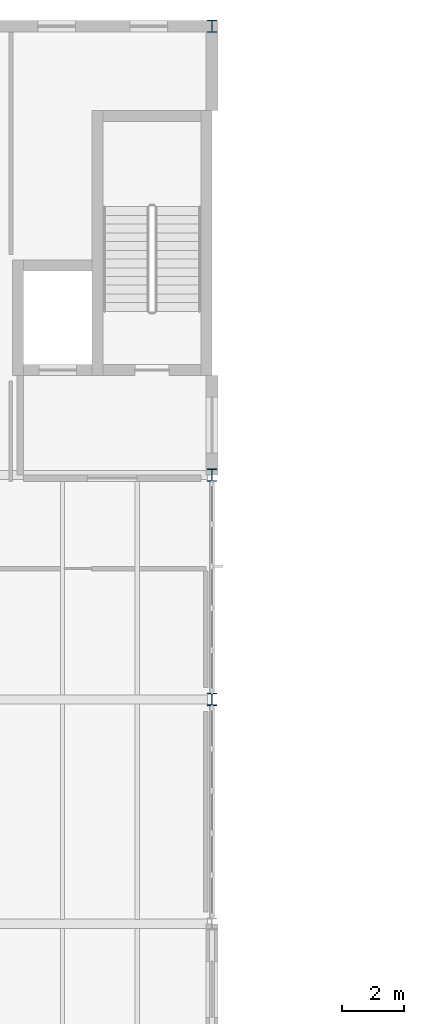
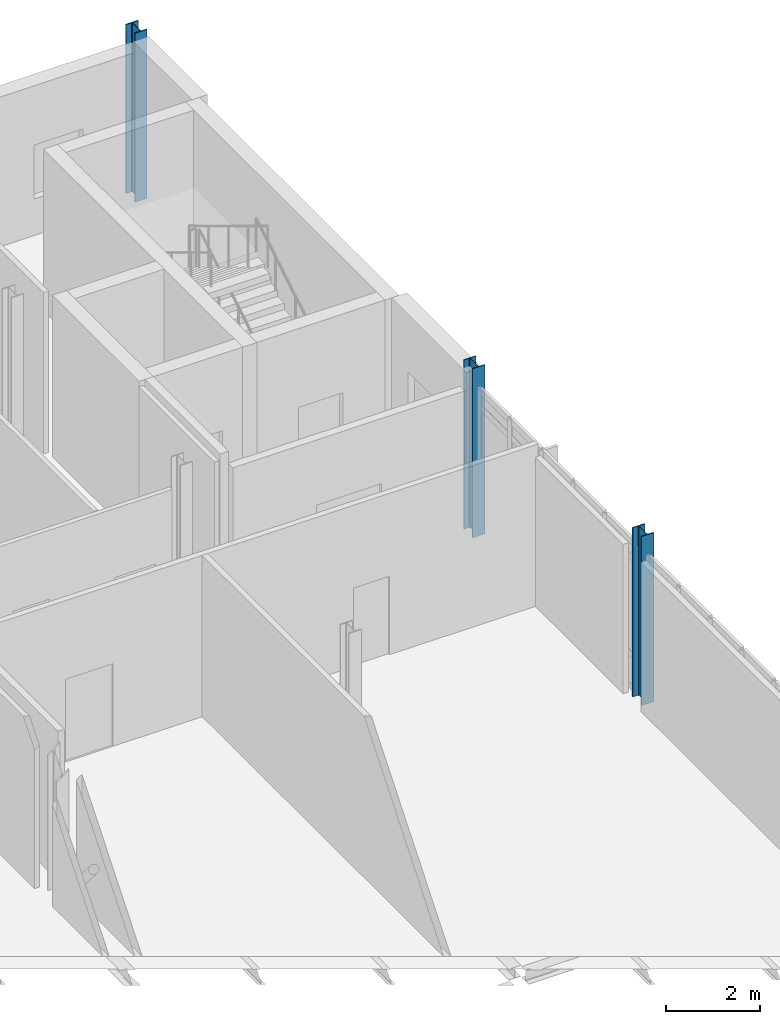
# One storey, part 12 of 72: 3 columns.
"""IFC4 building model written with IfcOpenShell, lengths in metres."""

from ifc_helpers import new_model, si_unit, direction, frame, origin, origin_2d, place, context, subcontext, project, spatial, i_section, extrude, material, material_profile, profile_set, type_object, element, save


model = new_model("IFC4")

# Units and contexts
model_context = context("Model", 3, precision=1e-05, world=origin(), true_north=direction((0.0, 1.0)))
body_context = subcontext(model_context, "Body", "Model", "MODEL_VIEW")
ifc_project = project(units=[si_unit("LENGTHUNIT", "METRE"), si_unit("AREAUNIT", "SQUARE_METRE"), si_unit("VOLUMEUNIT", "CUBIC_METRE"), si_unit("PLANEANGLEUNIT", "RADIAN"), si_unit("MASSUNIT", "GRAM", prefix="KILO")], contexts=[model_context])

# Site, building, storey
site_placement = place(None, origin())
site = spatial("IfcSite", under=ifc_project, at=site_placement, CompositionType="ELEMENT")
building_placement = place(site_placement, origin())
building = spatial("IfcBuilding", under=site, at=building_placement, Name="Zarrinpeak Specialist Clinic", CompositionType="ELEMENT")
storey_placement = place(building_placement, frame((0.0, 0.0, 9.60009765625)))
storey = spatial("IfcBuildingStorey", under=building, at=storey_placement, Name="L02", CompositionType="ELEMENT", Elevation=9.60009765625)

# Columns
ifc_material = material(Name="Steel S355", Category="steel")
ifc_material_profile = material_profile(ifc_material, i_section(OverallWidth=0.300048828125, OverallDepth=0.39990234375, WebThickness=0.013427734375, FlangeThickness=0.02392578125, FilletRadius=0.027099609375, at=origin_2d()), Name="HEB 400")
ifc_profile_set = profile_set([ifc_material_profile], Name="Steel S355")
column_type = type_object("IfcColumnType", Name="COL-HEB400", PredefinedType="COLUMN", material=ifc_profile_set)
for number, where, z_axis, x_axis, name in (
    (1, (64.800048828125, 96.39990234375, 0.0), (0.0, 0.0, 1.0), (1.0, 0.0, 0.0), "L02 Structural Column COL-L02-121"),
    (2, (64.800048828125, 103.60009765625, 0.0), (0.0, 0.0, 1.0), (1.0, 0.0, 0.0), "L02 Structural Column COL-L02-122"),
    (3, (64.800048828125, 118.0, 0.0), (0.0, 0.0, 1.0), (1.0, 0.0, 0.0), "L02 Structural Column COL-L02-123"),
):
    element("IfcColumn", number, at=place(storey_placement, frame(where, z_axis=z_axis, x_axis=x_axis)), inside=storey, type_object=column_type, Name=name, PredefinedType="COLUMN", context=body_context, shape_type="SweptSolid", body=[
        extrude(i_section(OverallWidth=0.300048828125, OverallDepth=0.39990234375, WebThickness=0.013427734375, FlangeThickness=0.02392578125, FilletRadius=0.027099609375, at=origin_2d()), origin(), (0.0, 0.0, 1.0), 4.39990234375),
    ])

save(model, "model.ifc")
